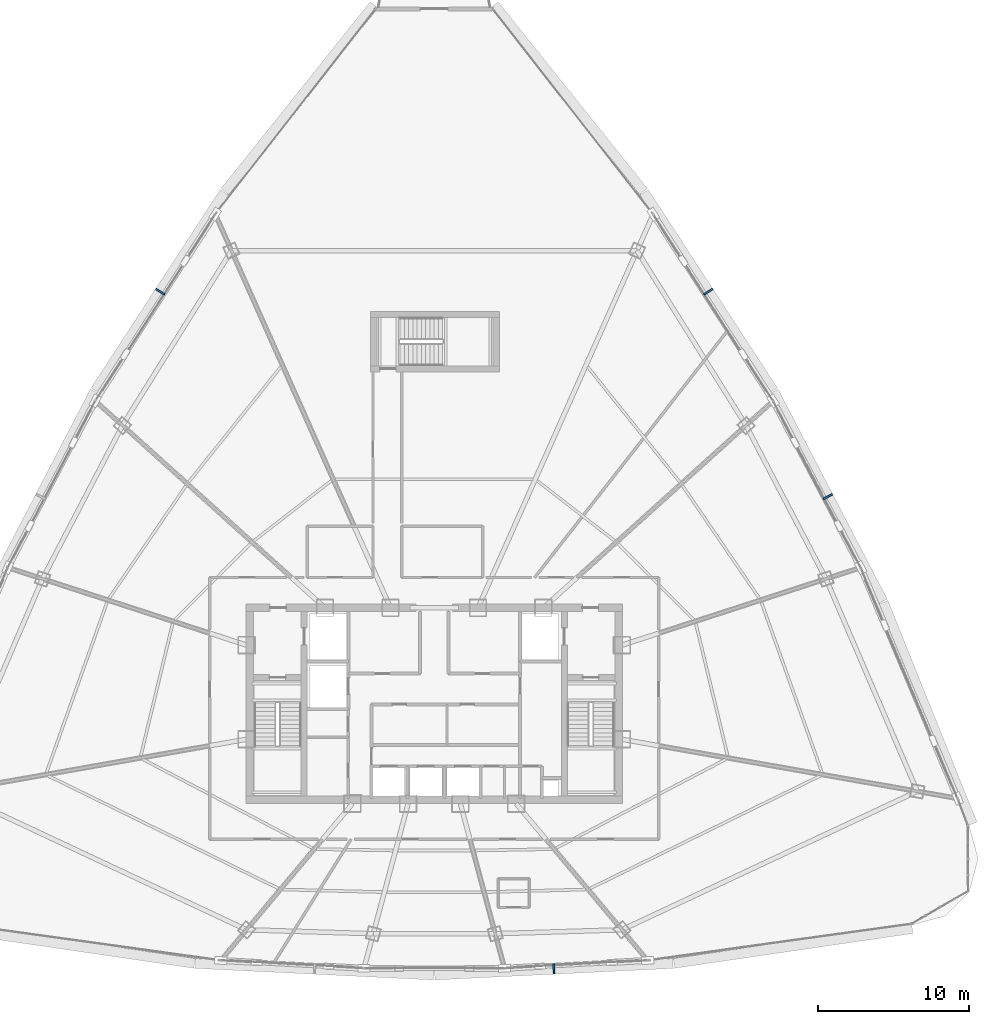
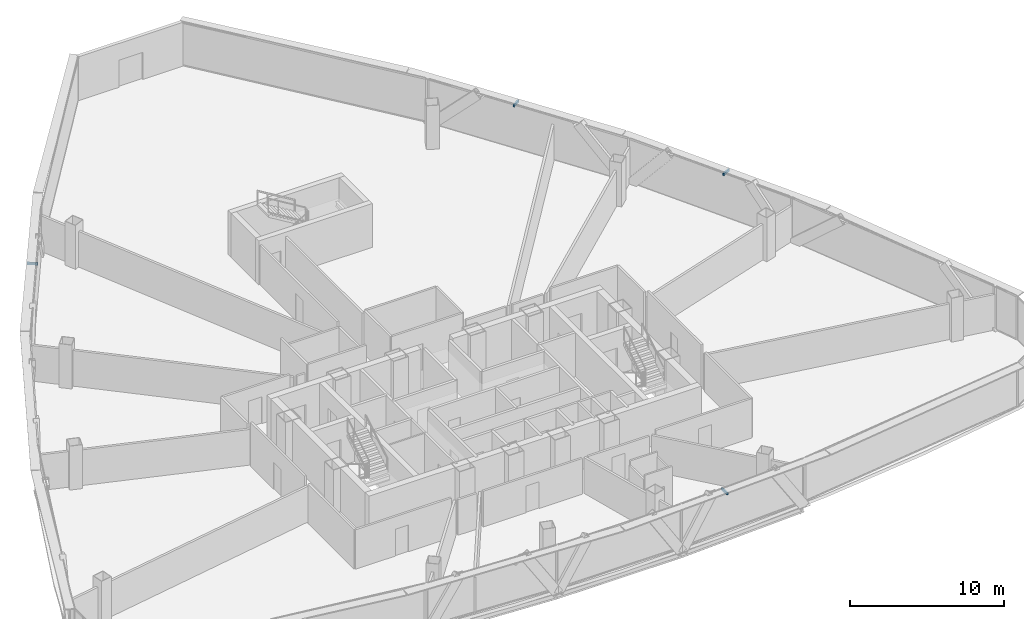
# One storey, part 33 of 37: 4 discrete accessories.
"""IFC4 building model written with IfcOpenShell, lengths in metres."""

from ifc_helpers import new_model, si_unit, direction, frame, origin, origin_2d, place, context, subcontext, project, spatial, rectangle, extrude, source, transform, mapped, material, type_object, element, save


model = new_model("IFC4")

# Units and contexts
model_context = context("Model", 3, precision=1e-05, world=origin(), true_north=direction((0.0, 1.0)))
body_context = subcontext(model_context, "Body", "Model", "MODEL_VIEW")
ifc_project = project(units=[si_unit("LENGTHUNIT", "METRE"), si_unit("AREAUNIT", "SQUARE_METRE"), si_unit("VOLUMEUNIT", "CUBIC_METRE"), si_unit("PLANEANGLEUNIT", "RADIAN"), si_unit("MASSUNIT", "GRAM", prefix="KILO"), si_unit("THERMODYNAMICTEMPERATUREUNIT", "KELVIN"), si_unit("POWERUNIT", "WATT")], contexts=[model_context])

# Site, building, storey
site_placement = place(None, origin())
site = spatial("IfcSite", under=ifc_project, at=site_placement, CompositionType="ELEMENT")
building_placement = place(site_placement, origin())
building = spatial("IfcBuilding", under=site, at=building_placement, Name="Yunzhuo Pagoda Commons", CompositionType="ELEMENT")
storey_placement = place(building_placement, frame((0.0, 0.0, 240.800048828125)))
storey = spatial("IfcBuildingStorey", under=building, at=storey_placement, Name="L60", CompositionType="ELEMENT", Elevation=240.800048828125)

# Discrete accessories
ifc_material = material(Name="Anodized aluminium 6063-T6", Category="aluminium")
discrete_accessory_type = type_object("IfcDiscreteAccessoryType", Name="BK-SUN1 Sunshade Outrigger Bracket", PredefinedType="BRACKET", material=ifc_material)
shared_shape = source(origin(), body_context, "Body", "SweptSolid", [
    extrude(rectangle(XDim=0.1201171875, YDim=0.679931640625, at=origin_2d()), origin(), (0.0, 0.0, 1.0), 0.179931640625),
])
for number, where, z_axis, x_axis, name in (
    (1, (55.908203125, 16.343017578125, 3.259765625), (0.0, 0.0, 1.0), (0.998818043775, 0.04860571396, 0.0), "L60 sunshade outrigger bracket F1.3"),
    (2, (74.02099609375, 47.55078125, 3.259765625), (0.0, 0.0, 1.0), (-0.461206683033, 0.88729273384, 0.0), "L60 sunshade outrigger bracket F2.2"),
    (3, (66.112548828125, 61.0986328125, 3.259765625), (0.0, 0.0, 1.0), (-0.545838756973, 0.837890238269, 0.0), "L60 sunshade outrigger bracket F2.3"),
    (4, (29.887451171875, 61.0986328125, 3.259765625), (0.0, 0.0, 1.0), (-0.545838756973, -0.837890238269, 0.0), "L60 sunshade outrigger bracket F3.2"),
):
    element("IfcDiscreteAccessory", number, at=place(storey_placement, frame(where, z_axis=z_axis, x_axis=x_axis)), inside=storey, type_object=discrete_accessory_type, Name=name, PredefinedType="BRACKET", context=body_context, shape_type="MappedRepresentation", body=[
        mapped(shared_shape, transform((0.0, 0.0, 0.0), scale=1.0)),
    ])

save(model, "model.ifc")
